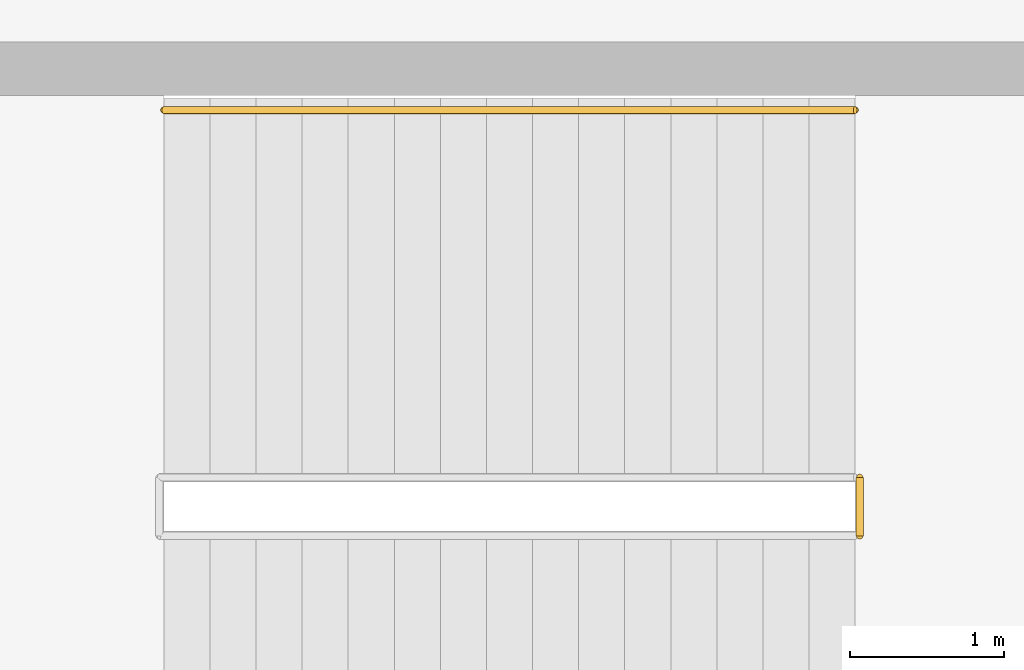
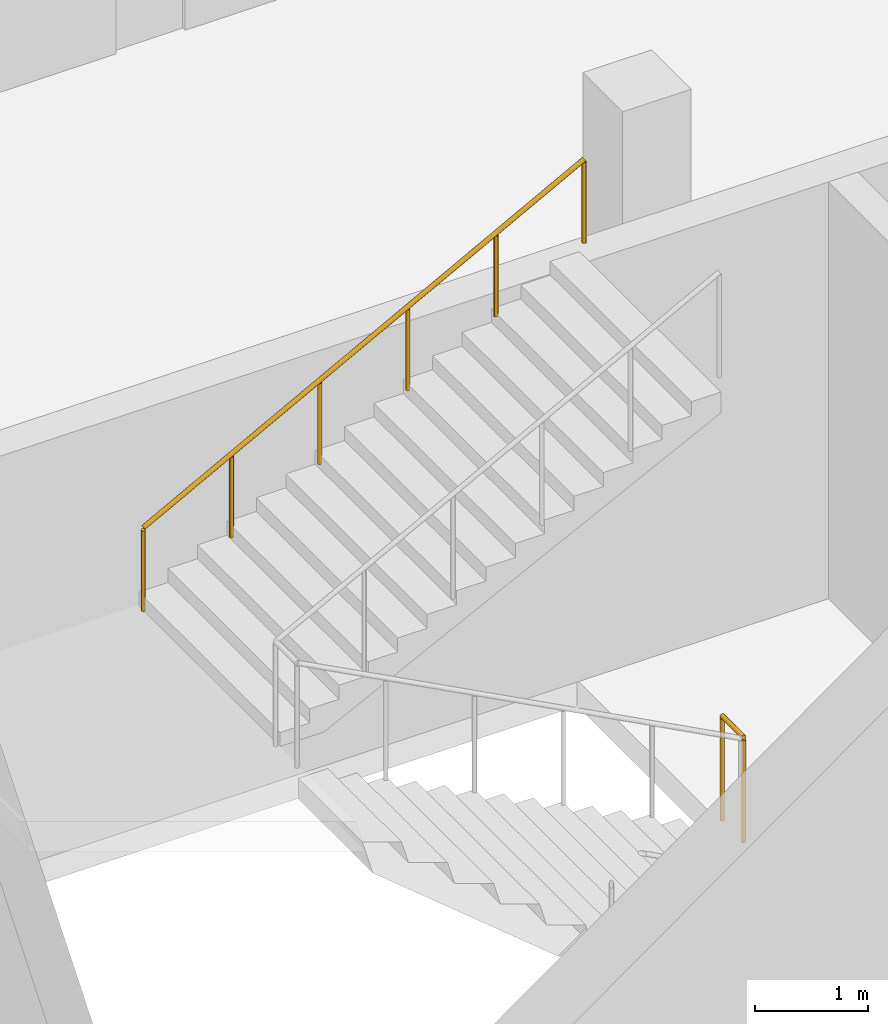
# One storey, part 94 of 111: 2 railings.
"""IFC4 building model written with IfcOpenShell, lengths in metres."""

from ifc_helpers import new_model, si_unit, direction, frame, origin, origin_2d, place, context, subcontext, project, spatial, circle, extrude, material, type_object, element, save


model = new_model("IFC4")

# Units and contexts
model_context = context("Model", 3, precision=1e-05, world=origin(), true_north=direction((0.0, 1.0)))
body_context = subcontext(model_context, "Body", "Model", "MODEL_VIEW")
ifc_project = project(units=[si_unit("LENGTHUNIT", "METRE"), si_unit("AREAUNIT", "SQUARE_METRE"), si_unit("VOLUMEUNIT", "CUBIC_METRE"), si_unit("PLANEANGLEUNIT", "RADIAN"), si_unit("MASSUNIT", "GRAM", prefix="KILO"), si_unit("THERMODYNAMICTEMPERATUREUNIT", "KELVIN"), si_unit("POWERUNIT", "WATT")], contexts=[model_context])

# Site, building, storey
site_placement = place(None, origin())
site = spatial("IfcSite", under=ifc_project, at=site_placement, CompositionType="ELEMENT")
building_placement = place(site_placement, origin())
building = spatial("IfcBuilding", under=site, at=building_placement, Name="Sindhuravela Promenade Stadium", CompositionType="ELEMENT")
storey_placement = place(building_placement, frame((0.0, 0.0, 9.60009765625)))
storey = spatial("IfcBuildingStorey", under=building, at=storey_placement, Name="L02", CompositionType="ELEMENT", Elevation=9.60009765625)

# Railings
ifc_material = material(Name="Architectural wrought steel E350", Category="steel")
railing_type_1 = type_object("IfcRailingType", Name="RL-GRD-1150", PredefinedType="GUARDRAIL", material=ifc_material)
railing_1_placement = place(storey_placement, frame((70.3798828125, 22.31005859375, 0.0)))
element("IfcRailing", 1, at=railing_1_placement, inside=storey, type_object=railing_type_1, Name="Stair ST11 landing well slot guard (L02)", PredefinedType="GUARDRAIL", context=body_context, shape_type="SweptSolid", body=[
    extrude(circle(Radius=0.02392578125, at=origin_2d()), frame((0.0, 0.0, 1.1259765625), z_axis=(0.0, 1.0, 0.0), x_axis=(-1.0, 0.0, 0.0)), (0.0, 0.0, 1.0), 0.3798828125),
    extrude(circle(Radius=0.02099609375, at=origin_2d()), origin(), (0.0, 0.0, 1.0), 1.101806640625),
    extrude(circle(Radius=0.02099609375, at=origin_2d()), frame((0.0, 0.3798828125, 0.0)), (0.0, 0.0, 1.0), 1.101806640625),
])
railing_type_2 = type_object("IfcRailingType", Name="RL-HND-920", PredefinedType="HANDRAIL", material=ifc_material)
railing_2_placement = place(storey_placement, frame((65.85009765625, 25.080078125, 2.39990234375)))
element("IfcRailing", 2, at=railing_2_placement, inside=storey, type_object=railing_type_2, Name="Stair ST11 upper wall handrail (L02)", PredefinedType="HANDRAIL", context=body_context, shape_type="SweptSolid", body=[
    extrude(circle(Radius=0.02392578125, at=origin_2d()), frame((0.0, 0.0, 0.89599609375), z_axis=(0.8823608919668723, 0.0, 0.4705733272588083), x_axis=(0.0, 1.0, 0.0)), (0.0, 0.0, 1.0), 5.099853515625),
    extrude(circle(Radius=0.02099609375, at=origin_2d()), origin(), (0.0, 0.0, 1.0), 0.871826171875),
    extrude(circle(Radius=0.02099609375, at=origin_2d()), frame((0.89990234375, 0.0, 0.47998046875)), (0.0, 0.0, 1.0), 0.871826171875),
    extrude(circle(Radius=0.02099609375, at=origin_2d()), frame((1.800048828125, 0.0, 0.9599609375)), (0.0, 0.0, 1.0), 0.871826171875),
    extrude(circle(Radius=0.02099609375, at=origin_2d()), frame((2.699951171875, 0.0, 1.43994140625)), (0.0, 0.0, 1.0), 0.871826171875),
    extrude(circle(Radius=0.02099609375, at=origin_2d()), frame((3.60009765625, 0.0, 1.919921875)), (0.0, 0.0, 1.0), 0.871826171875),
    extrude(circle(Radius=0.02099609375, at=origin_2d()), frame((4.5, 0.0, 2.39990234375)), (0.0, 0.0, 1.0), 0.871826171875),
])

save(model, "model.ifc")
